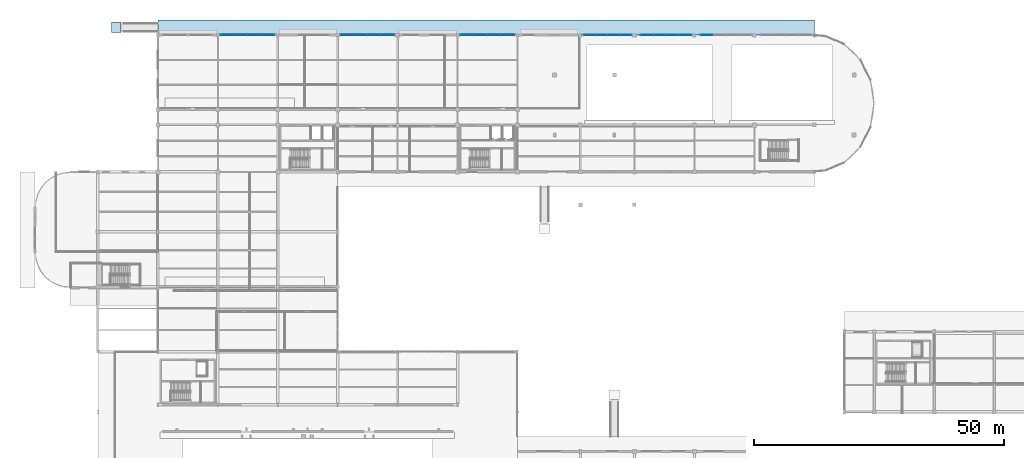
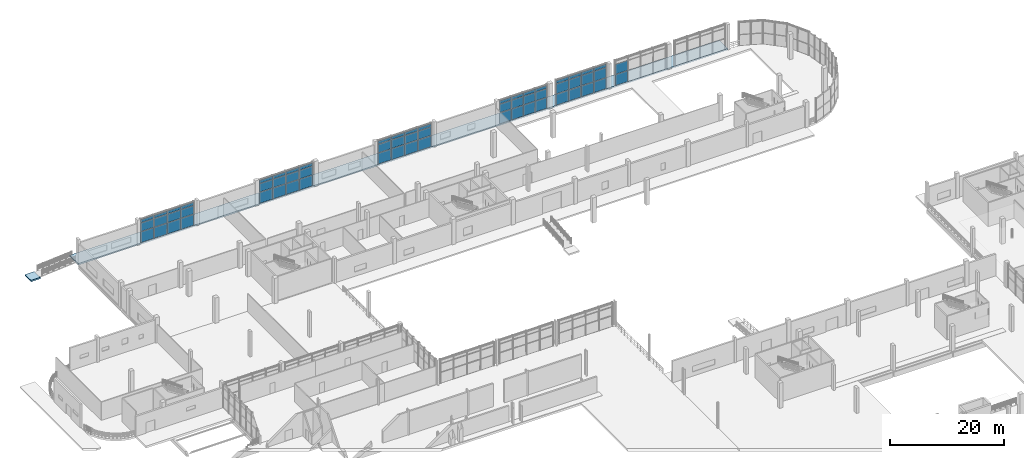
# One storey, part 55 of 85: 62 plates, 2 slabs, 6 elements without a shape of their own.
"""IFC4 building model written with IfcOpenShell, lengths in metres."""

from ifc_helpers import new_model, si_unit, direction, frame, origin, origin_2d, place, context, subcontext, project, spatial, polyline, rectangle, outline, extrude, material, layer, layer_set, type_object, element, aggregate, save


model = new_model("IFC4")

# Units and contexts
model_context = context("Model", 3, precision=1e-05, world=origin(), true_north=direction((0.0, 1.0)))
body_context = subcontext(model_context, "Body", "Model", "MODEL_VIEW")
ifc_project = project(units=[si_unit("LENGTHUNIT", "METRE"), si_unit("AREAUNIT", "SQUARE_METRE"), si_unit("VOLUMEUNIT", "CUBIC_METRE"), si_unit("PLANEANGLEUNIT", "RADIAN"), si_unit("MASSUNIT", "GRAM", prefix="KILO"), si_unit("THERMODYNAMICTEMPERATUREUNIT", "KELVIN"), si_unit("POWERUNIT", "WATT")], contexts=[model_context])

# Site, building, storey
site_placement = place(None, origin())
site = spatial("IfcSite", under=ifc_project, at=site_placement, CompositionType="ELEMENT")
building_placement = place(site_placement, origin())
building = spatial("IfcBuilding", under=site, at=building_placement, Name="Solmara Park Aquatics Centre", CompositionType="ELEMENT")
storey_placement = place(building_placement, origin())
storey = spatial("IfcBuildingStorey", under=building, at=storey_placement, Name="L00", CompositionType="ELEMENT", Elevation=0.0)

# Curtain wall, plates
ifc_material_1 = material(Name="Anodised Aluminium Curtain Wall Framing", Category="aluminium")
curtain_wall_type_1 = type_object("IfcCurtainWallType", Name="ARC-CW-SYS01", PredefinedType="USERDEFINED", material=ifc_material_1)
curtain_wall_1_placement = place(storey_placement, origin())
curtain_wall_1 = element("IfcCurtainWall", 1, at=curtain_wall_1_placement, inside=storey, type_object=curtain_wall_type_1, Name="Curtain Wall CW-113", ObjectType="CURTAIN WALL", PredefinedType="USERDEFINED")
ifc_material_2 = material(Name="Double Low-E Solar-Control Glazing", Category="glass")
ifc_layer_1 = layer(ifc_material_2, 0.035888671875, Name="Double Low-E Solar-Control Glazing")
ifc_layer_set_1 = layer_set([ifc_layer_1], Name="Double Low-E Solar-Control Glazing")
plate_type_1 = type_object("IfcPlateType", Name="ARC-CWP-GLZ36-2320x1800", PredefinedType="CURTAIN_PANEL", material=ifc_layer_set_1)
plate_1_placement = place(storey_placement, frame((110.97998046875, 136.0, 2.48974609375), z_axis=(0.0, 0.0, 1.0), x_axis=(1.0, 0.0, 0.0)))
plate_1 = element("IfcPlate", 2, at=plate_1_placement, type_object=plate_type_1, Name="CW-113 panel 2", PredefinedType="CURTAIN_PANEL", context=body_context, shape_type="SweptSolid", body=[
    extrude(rectangle(XDim=2.320068359375, YDim=0.035888671875, at=origin_2d()), origin(), (0.0, 0.0, 1.0), 1.800048828125),
])
plate_2_placement = place(storey_placement, frame((113.3798828125, 136.0, 2.48974609375), z_axis=(0.0, 0.0, 1.0), x_axis=(1.0, 0.0, 0.0)))
plate_2 = element("IfcPlate", 3, at=plate_2_placement, type_object=plate_type_1, Name="CW-113 panel 5", PredefinedType="CURTAIN_PANEL", context=body_context, shape_type="SweptSolid", body=[
    extrude(rectangle(XDim=2.320068359375, YDim=0.035888671875, at=origin_2d()), origin(), (0.0, 0.0, 1.0), 1.800048828125),
])
plate_3_placement = place(storey_placement, frame((115.780029296875, 136.0, 2.48974609375), z_axis=(0.0, 0.0, 1.0), x_axis=(1.0, 0.0, 0.0)))
plate_3 = element("IfcPlate", 4, at=plate_3_placement, type_object=plate_type_1, Name="CW-113 panel 8", PredefinedType="CURTAIN_PANEL", context=body_context, shape_type="SweptSolid", body=[
    extrude(rectangle(XDim=2.320068359375, YDim=0.035888671875, at=origin_2d()), origin(), (0.0, 0.0, 1.0), 1.800048828125),
])
plate_4_placement = place(storey_placement, frame((118.179931640625, 136.0, 2.48974609375), z_axis=(0.0, 0.0, 1.0), x_axis=(1.0, 0.0, 0.0)))
plate_4 = element("IfcPlate", 5, at=plate_4_placement, type_object=plate_type_1, Name="CW-113 panel 11", PredefinedType="CURTAIN_PANEL", context=body_context, shape_type="SweptSolid", body=[
    extrude(rectangle(XDim=2.320068359375, YDim=0.035888671875, at=origin_2d()), origin(), (0.0, 0.0, 1.0), 1.800048828125),
])
ifc_layer_2 = layer(ifc_material_2, 0.035888671875, Name="Double Low-E Solar-Control Glazing")
ifc_layer_set_2 = layer_set([ifc_layer_2], Name="Double Low-E Solar-Control Glazing")
plate_type_2 = type_object("IfcPlateType", Name="ARC-CWP-GLZ36-2320x2320", PredefinedType="CURTAIN_PANEL", material=ifc_layer_set_2)
plate_5_placement = place(storey_placement, frame((110.97998046875, 136.0, 0.080078125), z_axis=(0.0, 0.0, 1.0), x_axis=(1.0, 0.0, 0.0)))
plate_5 = element("IfcPlate", 6, at=plate_5_placement, type_object=plate_type_2, Name="CW-113 panel 1", PredefinedType="CURTAIN_PANEL", context=body_context, shape_type="SweptSolid", body=[
    extrude(rectangle(XDim=2.320068359375, YDim=0.035888671875, at=origin_2d()), origin(), (0.0, 0.0, 1.0), 2.330078125),
])
plate_6_placement = place(storey_placement, frame((113.3798828125, 136.0, 0.080078125), z_axis=(0.0, 0.0, 1.0), x_axis=(1.0, 0.0, 0.0)))
plate_6 = element("IfcPlate", 7, at=plate_6_placement, type_object=plate_type_2, Name="CW-113 panel 4", PredefinedType="CURTAIN_PANEL", context=body_context, shape_type="SweptSolid", body=[
    extrude(rectangle(XDim=2.320068359375, YDim=0.035888671875, at=origin_2d()), origin(), (0.0, 0.0, 1.0), 2.330078125),
])
plate_7_placement = place(storey_placement, frame((115.780029296875, 136.0, 0.080078125), z_axis=(0.0, 0.0, 1.0), x_axis=(1.0, 0.0, 0.0)))
plate_7 = element("IfcPlate", 8, at=plate_7_placement, type_object=plate_type_2, Name="CW-113 panel 7", PredefinedType="CURTAIN_PANEL", context=body_context, shape_type="SweptSolid", body=[
    extrude(rectangle(XDim=2.320068359375, YDim=0.035888671875, at=origin_2d()), origin(), (0.0, 0.0, 1.0), 2.330078125),
])
plate_8_placement = place(storey_placement, frame((118.179931640625, 136.0, 0.080078125), z_axis=(0.0, 0.0, 1.0), x_axis=(1.0, 0.0, 0.0)))
plate_8 = element("IfcPlate", 9, at=plate_8_placement, type_object=plate_type_2, Name="CW-113 panel 10", PredefinedType="CURTAIN_PANEL", context=body_context, shape_type="SweptSolid", body=[
    extrude(rectangle(XDim=2.320068359375, YDim=0.035888671875, at=origin_2d()), origin(), (0.0, 0.0, 1.0), 2.330078125),
])

curtain_wall_2_placement = place(storey_placement, origin())
curtain_wall_2 = element("IfcCurtainWall", 10, at=curtain_wall_2_placement, inside=storey, type_object=curtain_wall_type_1, Name="Curtain Wall CW-114", ObjectType="CURTAIN WALL", PredefinedType="USERDEFINED")
ifc_layer_3 = layer(ifc_material_2, 0.035888671875, Name="Double Low-E Solar-Control Glazing")
ifc_layer_set_3 = layer_set([ifc_layer_3], Name="Double Low-E Solar-Control Glazing")
plate_type_3 = type_object("IfcPlateType", Name="ARC-CWP-GLZ36-2460x2120", PredefinedType="CURTAIN_PANEL", material=ifc_layer_set_3)
plate_9_placement = place(storey_placement, frame((122.489990234375, 136.0, 2.489990234375), z_axis=(0.0, 0.0, 1.0), x_axis=(1.0, 0.0, 0.0)))
plate_9 = element("IfcPlate", 11, at=plate_9_placement, type_object=plate_type_3, Name="CW-114 panel 2", PredefinedType="CURTAIN_PANEL", context=body_context, shape_type="SweptSolid", body=[
    extrude(rectangle(XDim=2.4599609375, YDim=0.035888671875, at=origin_2d()), origin(), (0.0, 0.0, 1.0), 2.1201171875),
])
plate_10_placement = place(storey_placement, frame((125.030029296875, 136.0, 2.489990234375), z_axis=(0.0, 0.0, 1.0), x_axis=(1.0, 0.0, 0.0)))
plate_10 = element("IfcPlate", 12, at=plate_10_placement, type_object=plate_type_3, Name="CW-114 panel 5", PredefinedType="CURTAIN_PANEL", context=body_context, shape_type="SweptSolid", body=[
    extrude(rectangle(XDim=2.4599609375, YDim=0.035888671875, at=origin_2d()), origin(), (0.0, 0.0, 1.0), 2.1201171875),
])
plate_11_placement = place(storey_placement, frame((127.570068359375, 136.0, 2.489990234375), z_axis=(0.0, 0.0, 1.0), x_axis=(1.0, 0.0, 0.0)))
plate_11 = element("IfcPlate", 13, at=plate_11_placement, type_object=plate_type_3, Name="CW-114 panel 8", PredefinedType="CURTAIN_PANEL", context=body_context, shape_type="SweptSolid", body=[
    extrude(rectangle(XDim=2.4599609375, YDim=0.035888671875, at=origin_2d()), origin(), (0.0, 0.0, 1.0), 2.1201171875),
])
plate_12_placement = place(storey_placement, frame((130.110107421875, 136.0, 2.489990234375), z_axis=(0.0, 0.0, 1.0), x_axis=(1.0, 0.0, 0.0)))
plate_12 = element("IfcPlate", 14, at=plate_12_placement, type_object=plate_type_3, Name="CW-114 panel 11", PredefinedType="CURTAIN_PANEL", context=body_context, shape_type="SweptSolid", body=[
    extrude(rectangle(XDim=2.4599609375, YDim=0.035888671875, at=origin_2d()), origin(), (0.0, 0.0, 1.0), 2.1201171875),
])

# Curtain wall, plate
curtain_wall_3_placement = place(storey_placement, origin())
curtain_wall_3 = element("IfcCurtainWall", 15, at=curtain_wall_3_placement, inside=storey, type_object=curtain_wall_type_1, Name="Curtain Wall CW-115", ObjectType="CURTAIN WALL", PredefinedType="USERDEFINED")
plate_13_placement = place(storey_placement, frame((134.489990234375, 136.0, 2.489990234375), z_axis=(0.0, 0.0, 1.0), x_axis=(1.0, 0.0, 0.0)))
plate_13 = element("IfcPlate", 16, at=plate_13_placement, type_object=plate_type_3, Name="CW-115 panel 2", PredefinedType="CURTAIN_PANEL", context=body_context, shape_type="SweptSolid", body=[
    extrude(rectangle(XDim=2.4599609375, YDim=0.035888671875, at=origin_2d()), origin(), (0.0, 0.0, 1.0), 2.1201171875),
])

# Plate
ifc_layer_4 = layer(ifc_material_2, 0.035888671875, Name="Double Low-E Solar-Control Glazing")
ifc_layer_set_4 = layer_set([ifc_layer_4], Name="Double Low-E Solar-Control Glazing")
plate_type_4 = type_object("IfcPlateType", Name="ARC-CWP-GLZ36-2460x2320", PredefinedType="CURTAIN_PANEL", material=ifc_layer_set_4)
plate_14_placement = place(storey_placement, frame((122.489990234375, 136.0, 0.080078125), z_axis=(0.0, 0.0, 1.0), x_axis=(1.0, 0.0, 0.0)))
plate_14 = element("IfcPlate", 17, at=plate_14_placement, type_object=plate_type_4, Name="CW-114 panel 1", PredefinedType="CURTAIN_PANEL", context=body_context, shape_type="SweptSolid", body=[
    extrude(rectangle(XDim=2.4599609375, YDim=0.035888671875, at=origin_2d()), origin(), (0.0, 0.0, 1.0), 2.330078125),
])

plate_15_placement = place(storey_placement, frame((125.030029296875, 136.0, 0.080078125), z_axis=(0.0, 0.0, 1.0), x_axis=(1.0, 0.0, 0.0)))
plate_15 = element("IfcPlate", 18, at=plate_15_placement, type_object=plate_type_4, Name="CW-114 panel 4", PredefinedType="CURTAIN_PANEL", context=body_context, shape_type="SweptSolid", body=[
    extrude(rectangle(XDim=2.4599609375, YDim=0.035888671875, at=origin_2d()), origin(), (0.0, 0.0, 1.0), 2.330078125),
])

plate_16_placement = place(storey_placement, frame((127.570068359375, 136.0, 0.080078125), z_axis=(0.0, 0.0, 1.0), x_axis=(1.0, 0.0, 0.0)))
plate_16 = element("IfcPlate", 19, at=plate_16_placement, type_object=plate_type_4, Name="CW-114 panel 7", PredefinedType="CURTAIN_PANEL", context=body_context, shape_type="SweptSolid", body=[
    extrude(rectangle(XDim=2.4599609375, YDim=0.035888671875, at=origin_2d()), origin(), (0.0, 0.0, 1.0), 2.330078125),
])

plate_17_placement = place(storey_placement, frame((130.110107421875, 136.0, 0.080078125), z_axis=(0.0, 0.0, 1.0), x_axis=(1.0, 0.0, 0.0)))
plate_17 = element("IfcPlate", 20, at=plate_17_placement, type_object=plate_type_4, Name="CW-114 panel 10", PredefinedType="CURTAIN_PANEL", context=body_context, shape_type="SweptSolid", body=[
    extrude(rectangle(XDim=2.4599609375, YDim=0.035888671875, at=origin_2d()), origin(), (0.0, 0.0, 1.0), 2.330078125),
])

plate_18_placement = place(storey_placement, frame((134.489990234375, 136.0, 0.080078125), z_axis=(0.0, 0.0, 1.0), x_axis=(1.0, 0.0, 0.0)))
plate_18 = element("IfcPlate", 21, at=plate_18_placement, type_object=plate_type_4, Name="CW-115 panel 1", PredefinedType="CURTAIN_PANEL", context=body_context, shape_type="SweptSolid", body=[
    extrude(rectangle(XDim=2.4599609375, YDim=0.035888671875, at=origin_2d()), origin(), (0.0, 0.0, 1.0), 2.330078125),
])

aggregate(curtain_wall_3, [plate_18, plate_13])

# Curtain wall, plates
curtain_wall_type_2 = type_object("IfcCurtainWallType", Name="ARC-CW-SYS04", PredefinedType="USERDEFINED", material=ifc_material_1)
curtain_wall_4_placement = place(storey_placement, origin())
curtain_wall_4 = element("IfcCurtainWall", 22, at=curtain_wall_4_placement, inside=storey, type_object=curtain_wall_type_2, Name="Curtain Wall CW-110", ObjectType="CURTAIN WALL", PredefinedType="USERDEFINED")
ifc_layer_5 = layer(ifc_material_2, 0.035888671875, Name="Double Low-E Solar-Control Glazing")
ifc_layer_set_5 = layer_set([ifc_layer_5], Name="Double Low-E Solar-Control Glazing")
plate_type_5 = type_object("IfcPlateType", Name="ARC-CWP-GLZ36-2620x1800", PredefinedType="CURTAIN_PANEL", material=ifc_layer_set_5)
plate_19_placement = place(storey_placement, frame((38.530029296875, 136.0, 2.48974609375), z_axis=(0.0, 0.0, 1.0), x_axis=(1.0, 0.0, 0.0)))
plate_19 = element("IfcPlate", 23, at=plate_19_placement, type_object=plate_type_5, Name="CW-110 panel 2", PredefinedType="CURTAIN_PANEL", context=body_context, shape_type="SweptSolid", body=[
    extrude(rectangle(XDim=2.6201171875, YDim=0.035888671875, at=origin_2d()), origin(), (0.0, 0.0, 1.0), 1.800048828125),
])
plate_20_placement = place(storey_placement, frame((41.22998046875, 136.0, 2.48974609375), z_axis=(0.0, 0.0, 1.0), x_axis=(1.0, 0.0, 0.0)))
plate_20 = element("IfcPlate", 24, at=plate_20_placement, type_object=plate_type_5, Name="CW-110 panel 5", PredefinedType="CURTAIN_PANEL", context=body_context, shape_type="SweptSolid", body=[
    extrude(rectangle(XDim=2.6201171875, YDim=0.035888671875, at=origin_2d()), origin(), (0.0, 0.0, 1.0), 1.800048828125),
])
plate_21_placement = place(storey_placement, frame((43.929931640625, 136.0, 2.48974609375), z_axis=(0.0, 0.0, 1.0), x_axis=(1.0, 0.0, 0.0)))
plate_21 = element("IfcPlate", 25, at=plate_21_placement, type_object=plate_type_5, Name="CW-110 panel 8", PredefinedType="CURTAIN_PANEL", context=body_context, shape_type="SweptSolid", body=[
    extrude(rectangle(XDim=2.6201171875, YDim=0.035888671875, at=origin_2d()), origin(), (0.0, 0.0, 1.0), 1.800048828125),
])
plate_22_placement = place(storey_placement, frame((46.6298828125, 136.0, 2.48974609375), z_axis=(0.0, 0.0, 1.0), x_axis=(1.0, 0.0, 0.0)))
plate_22 = element("IfcPlate", 26, at=plate_22_placement, type_object=plate_type_5, Name="CW-110 panel 11", PredefinedType="CURTAIN_PANEL", context=body_context, shape_type="SweptSolid", body=[
    extrude(rectangle(XDim=2.6201171875, YDim=0.035888671875, at=origin_2d()), origin(), (0.0, 0.0, 1.0), 1.800048828125),
])

curtain_wall_5_placement = place(storey_placement, origin())
curtain_wall_5 = element("IfcCurtainWall", 27, at=curtain_wall_5_placement, inside=storey, type_object=curtain_wall_type_2, Name="Curtain Wall CW-111", ObjectType="CURTAIN WALL", PredefinedType="USERDEFINED")
plate_23_placement = place(storey_placement, frame((62.530029296875, 136.0, 2.48974609375), z_axis=(0.0, 0.0, 1.0), x_axis=(1.0, 0.0, 0.0)))
plate_23 = element("IfcPlate", 28, at=plate_23_placement, type_object=plate_type_5, Name="CW-111 panel 2", PredefinedType="CURTAIN_PANEL", context=body_context, shape_type="SweptSolid", body=[
    extrude(rectangle(XDim=2.6201171875, YDim=0.035888671875, at=origin_2d()), origin(), (0.0, 0.0, 1.0), 1.800048828125),
])
plate_24_placement = place(storey_placement, frame((65.22998046875, 136.0, 2.48974609375), z_axis=(0.0, 0.0, 1.0), x_axis=(1.0, 0.0, 0.0)))
plate_24 = element("IfcPlate", 29, at=plate_24_placement, type_object=plate_type_5, Name="CW-111 panel 5", PredefinedType="CURTAIN_PANEL", context=body_context, shape_type="SweptSolid", body=[
    extrude(rectangle(XDim=2.6201171875, YDim=0.035888671875, at=origin_2d()), origin(), (0.0, 0.0, 1.0), 1.800048828125),
])
plate_25_placement = place(storey_placement, frame((67.929931640625, 136.0, 2.48974609375), z_axis=(0.0, 0.0, 1.0), x_axis=(1.0, 0.0, 0.0)))
plate_25 = element("IfcPlate", 30, at=plate_25_placement, type_object=plate_type_5, Name="CW-111 panel 8", PredefinedType="CURTAIN_PANEL", context=body_context, shape_type="SweptSolid", body=[
    extrude(rectangle(XDim=2.6201171875, YDim=0.035888671875, at=origin_2d()), origin(), (0.0, 0.0, 1.0), 1.800048828125),
])
plate_26_placement = place(storey_placement, frame((70.6298828125, 136.0, 2.48974609375), z_axis=(0.0, 0.0, 1.0), x_axis=(1.0, 0.0, 0.0)))
plate_26 = element("IfcPlate", 31, at=plate_26_placement, type_object=plate_type_5, Name="CW-111 panel 11", PredefinedType="CURTAIN_PANEL", context=body_context, shape_type="SweptSolid", body=[
    extrude(rectangle(XDim=2.6201171875, YDim=0.035888671875, at=origin_2d()), origin(), (0.0, 0.0, 1.0), 1.800048828125),
])

curtain_wall_6_placement = place(storey_placement, origin())
curtain_wall_6 = element("IfcCurtainWall", 32, at=curtain_wall_6_placement, inside=storey, type_object=curtain_wall_type_2, Name="Curtain Wall CW-112", ObjectType="CURTAIN WALL", PredefinedType="USERDEFINED")
plate_27_placement = place(storey_placement, frame((86.530029296875, 136.0, 2.48974609375), z_axis=(0.0, 0.0, 1.0), x_axis=(1.0, 0.0, 0.0)))
plate_27 = element("IfcPlate", 33, at=plate_27_placement, type_object=plate_type_5, Name="CW-112 panel 2", PredefinedType="CURTAIN_PANEL", context=body_context, shape_type="SweptSolid", body=[
    extrude(rectangle(XDim=2.6201171875, YDim=0.035888671875, at=origin_2d()), origin(), (0.0, 0.0, 1.0), 1.800048828125),
])
plate_28_placement = place(storey_placement, frame((89.22998046875, 136.0, 2.48974609375), z_axis=(0.0, 0.0, 1.0), x_axis=(1.0, 0.0, 0.0)))
plate_28 = element("IfcPlate", 34, at=plate_28_placement, type_object=plate_type_5, Name="CW-112 panel 5", PredefinedType="CURTAIN_PANEL", context=body_context, shape_type="SweptSolid", body=[
    extrude(rectangle(XDim=2.6201171875, YDim=0.035888671875, at=origin_2d()), origin(), (0.0, 0.0, 1.0), 1.800048828125),
])
plate_29_placement = place(storey_placement, frame((91.929931640625, 136.0, 2.48974609375), z_axis=(0.0, 0.0, 1.0), x_axis=(1.0, 0.0, 0.0)))
plate_29 = element("IfcPlate", 35, at=plate_29_placement, type_object=plate_type_5, Name="CW-112 panel 8", PredefinedType="CURTAIN_PANEL", context=body_context, shape_type="SweptSolid", body=[
    extrude(rectangle(XDim=2.6201171875, YDim=0.035888671875, at=origin_2d()), origin(), (0.0, 0.0, 1.0), 1.800048828125),
])
plate_30_placement = place(storey_placement, frame((94.6298828125, 136.0, 2.48974609375), z_axis=(0.0, 0.0, 1.0), x_axis=(1.0, 0.0, 0.0)))
plate_30 = element("IfcPlate", 36, at=plate_30_placement, type_object=plate_type_5, Name="CW-112 panel 11", PredefinedType="CURTAIN_PANEL", context=body_context, shape_type="SweptSolid", body=[
    extrude(rectangle(XDim=2.6201171875, YDim=0.035888671875, at=origin_2d()), origin(), (0.0, 0.0, 1.0), 1.800048828125),
])

# Plate
ifc_layer_6 = layer(ifc_material_2, 0.035888671875, Name="Double Low-E Solar-Control Glazing")
ifc_layer_set_6 = layer_set([ifc_layer_6], Name="Double Low-E Solar-Control Glazing")
plate_type_6 = type_object("IfcPlateType", Name="ARC-CWP-GLZ36-2620x2320", PredefinedType="CURTAIN_PANEL", material=ifc_layer_set_6)
plate_31_placement = place(storey_placement, frame((38.530029296875, 136.0, 0.080078125), z_axis=(0.0, 0.0, 1.0), x_axis=(1.0, 0.0, 0.0)))
plate_31 = element("IfcPlate", 37, at=plate_31_placement, type_object=plate_type_6, Name="CW-110 panel 1", PredefinedType="CURTAIN_PANEL", context=body_context, shape_type="SweptSolid", body=[
    extrude(rectangle(XDim=2.6201171875, YDim=0.035888671875, at=origin_2d()), origin(), (0.0, 0.0, 1.0), 2.330078125),
])

plate_32_placement = place(storey_placement, frame((41.22998046875, 136.0, 0.080078125), z_axis=(0.0, 0.0, 1.0), x_axis=(1.0, 0.0, 0.0)))
plate_32 = element("IfcPlate", 38, at=plate_32_placement, type_object=plate_type_6, Name="CW-110 panel 4", PredefinedType="CURTAIN_PANEL", context=body_context, shape_type="SweptSolid", body=[
    extrude(rectangle(XDim=2.6201171875, YDim=0.035888671875, at=origin_2d()), origin(), (0.0, 0.0, 1.0), 2.330078125),
])

plate_33_placement = place(storey_placement, frame((43.929931640625, 136.0, 0.080078125), z_axis=(0.0, 0.0, 1.0), x_axis=(1.0, 0.0, 0.0)))
plate_33 = element("IfcPlate", 39, at=plate_33_placement, type_object=plate_type_6, Name="CW-110 panel 7", PredefinedType="CURTAIN_PANEL", context=body_context, shape_type="SweptSolid", body=[
    extrude(rectangle(XDim=2.6201171875, YDim=0.035888671875, at=origin_2d()), origin(), (0.0, 0.0, 1.0), 2.330078125),
])

plate_34_placement = place(storey_placement, frame((46.6298828125, 136.0, 0.080078125), z_axis=(0.0, 0.0, 1.0), x_axis=(1.0, 0.0, 0.0)))
plate_34 = element("IfcPlate", 40, at=plate_34_placement, type_object=plate_type_6, Name="CW-110 panel 10", PredefinedType="CURTAIN_PANEL", context=body_context, shape_type="SweptSolid", body=[
    extrude(rectangle(XDim=2.6201171875, YDim=0.035888671875, at=origin_2d()), origin(), (0.0, 0.0, 1.0), 2.330078125),
])

plate_35_placement = place(storey_placement, frame((62.530029296875, 136.0, 0.080078125), z_axis=(0.0, 0.0, 1.0), x_axis=(1.0, 0.0, 0.0)))
plate_35 = element("IfcPlate", 41, at=plate_35_placement, type_object=plate_type_6, Name="CW-111 panel 1", PredefinedType="CURTAIN_PANEL", context=body_context, shape_type="SweptSolid", body=[
    extrude(rectangle(XDim=2.6201171875, YDim=0.035888671875, at=origin_2d()), origin(), (0.0, 0.0, 1.0), 2.330078125),
])

plate_36_placement = place(storey_placement, frame((65.22998046875, 136.0, 0.080078125), z_axis=(0.0, 0.0, 1.0), x_axis=(1.0, 0.0, 0.0)))
plate_36 = element("IfcPlate", 42, at=plate_36_placement, type_object=plate_type_6, Name="CW-111 panel 4", PredefinedType="CURTAIN_PANEL", context=body_context, shape_type="SweptSolid", body=[
    extrude(rectangle(XDim=2.6201171875, YDim=0.035888671875, at=origin_2d()), origin(), (0.0, 0.0, 1.0), 2.330078125),
])

plate_37_placement = place(storey_placement, frame((67.929931640625, 136.0, 0.080078125), z_axis=(0.0, 0.0, 1.0), x_axis=(1.0, 0.0, 0.0)))
plate_37 = element("IfcPlate", 43, at=plate_37_placement, type_object=plate_type_6, Name="CW-111 panel 7", PredefinedType="CURTAIN_PANEL", context=body_context, shape_type="SweptSolid", body=[
    extrude(rectangle(XDim=2.6201171875, YDim=0.035888671875, at=origin_2d()), origin(), (0.0, 0.0, 1.0), 2.330078125),
])

plate_38_placement = place(storey_placement, frame((70.6298828125, 136.0, 0.080078125), z_axis=(0.0, 0.0, 1.0), x_axis=(1.0, 0.0, 0.0)))
plate_38 = element("IfcPlate", 44, at=plate_38_placement, type_object=plate_type_6, Name="CW-111 panel 10", PredefinedType="CURTAIN_PANEL", context=body_context, shape_type="SweptSolid", body=[
    extrude(rectangle(XDim=2.6201171875, YDim=0.035888671875, at=origin_2d()), origin(), (0.0, 0.0, 1.0), 2.330078125),
])

plate_39_placement = place(storey_placement, frame((86.530029296875, 136.0, 0.080078125), z_axis=(0.0, 0.0, 1.0), x_axis=(1.0, 0.0, 0.0)))
plate_39 = element("IfcPlate", 45, at=plate_39_placement, type_object=plate_type_6, Name="CW-112 panel 1", PredefinedType="CURTAIN_PANEL", context=body_context, shape_type="SweptSolid", body=[
    extrude(rectangle(XDim=2.6201171875, YDim=0.035888671875, at=origin_2d()), origin(), (0.0, 0.0, 1.0), 2.330078125),
])

plate_40_placement = place(storey_placement, frame((89.22998046875, 136.0, 0.080078125), z_axis=(0.0, 0.0, 1.0), x_axis=(1.0, 0.0, 0.0)))
plate_40 = element("IfcPlate", 46, at=plate_40_placement, type_object=plate_type_6, Name="CW-112 panel 4", PredefinedType="CURTAIN_PANEL", context=body_context, shape_type="SweptSolid", body=[
    extrude(rectangle(XDim=2.6201171875, YDim=0.035888671875, at=origin_2d()), origin(), (0.0, 0.0, 1.0), 2.330078125),
])

plate_41_placement = place(storey_placement, frame((91.929931640625, 136.0, 0.080078125), z_axis=(0.0, 0.0, 1.0), x_axis=(1.0, 0.0, 0.0)))
plate_41 = element("IfcPlate", 47, at=plate_41_placement, type_object=plate_type_6, Name="CW-112 panel 7", PredefinedType="CURTAIN_PANEL", context=body_context, shape_type="SweptSolid", body=[
    extrude(rectangle(XDim=2.6201171875, YDim=0.035888671875, at=origin_2d()), origin(), (0.0, 0.0, 1.0), 2.330078125),
])

plate_42_placement = place(storey_placement, frame((94.6298828125, 136.0, 0.080078125), z_axis=(0.0, 0.0, 1.0), x_axis=(1.0, 0.0, 0.0)))
plate_42 = element("IfcPlate", 48, at=plate_42_placement, type_object=plate_type_6, Name="CW-112 panel 10", PredefinedType="CURTAIN_PANEL", context=body_context, shape_type="SweptSolid", body=[
    extrude(rectangle(XDim=2.6201171875, YDim=0.035888671875, at=origin_2d()), origin(), (0.0, 0.0, 1.0), 2.330078125),
])

ifc_material_3 = material(Name="Golden-Ochre Enamelled Aluminium Fascia Panel", Category="aluminium")
ifc_layer_7 = layer(ifc_material_3, 0.0400390625, Name="Golden-Ochre Enamelled Aluminium Fascia Panel")
ifc_layer_set_7 = layer_set([ifc_layer_7], Name="Golden-Ochre Enamelled Aluminium Fascia Panel")
plate_type_7 = type_object("IfcPlateType", Name="ARC-CWP-OCH40-2620x620", PredefinedType="CURTAIN_PANEL", material=ifc_layer_set_7)
plate_43_placement = place(storey_placement, frame((86.530029296875, 136.0, 4.3701171875), z_axis=(0.0, 0.0, 1.0), x_axis=(1.0, 0.0, 0.0)))
plate_43 = element("IfcPlate", 49, at=plate_43_placement, type_object=plate_type_7, Name="CW-112 panel 3", PredefinedType="CURTAIN_PANEL", context=body_context, shape_type="SweptSolid", body=[
    extrude(rectangle(XDim=2.6201171875, YDim=0.0400390625, at=origin_2d()), origin(), (0.0, 0.0, 1.0), 0.6298828125),
])

plate_44_placement = place(storey_placement, frame((89.22998046875, 136.0, 4.3701171875), z_axis=(0.0, 0.0, 1.0), x_axis=(1.0, 0.0, 0.0)))
plate_44 = element("IfcPlate", 50, at=plate_44_placement, type_object=plate_type_7, Name="CW-112 panel 6", PredefinedType="CURTAIN_PANEL", context=body_context, shape_type="SweptSolid", body=[
    extrude(rectangle(XDim=2.6201171875, YDim=0.0400390625, at=origin_2d()), origin(), (0.0, 0.0, 1.0), 0.6298828125),
])

plate_45_placement = place(storey_placement, frame((91.929931640625, 136.0, 4.3701171875), z_axis=(0.0, 0.0, 1.0), x_axis=(1.0, 0.0, 0.0)))
plate_45 = element("IfcPlate", 51, at=plate_45_placement, type_object=plate_type_7, Name="CW-112 panel 9", PredefinedType="CURTAIN_PANEL", context=body_context, shape_type="SweptSolid", body=[
    extrude(rectangle(XDim=2.6201171875, YDim=0.0400390625, at=origin_2d()), origin(), (0.0, 0.0, 1.0), 0.6298828125),
])

plate_46_placement = place(storey_placement, frame((94.6298828125, 136.0, 4.3701171875), z_axis=(0.0, 0.0, 1.0), x_axis=(1.0, 0.0, 0.0)))
plate_46 = element("IfcPlate", 52, at=plate_46_placement, type_object=plate_type_7, Name="CW-112 panel 12", PredefinedType="CURTAIN_PANEL", context=body_context, shape_type="SweptSolid", body=[
    extrude(rectangle(XDim=2.6201171875, YDim=0.0400390625, at=origin_2d()), origin(), (0.0, 0.0, 1.0), 0.6298828125),
])

aggregate(curtain_wall_6, [plate_39, plate_27, plate_43, plate_40, plate_28, plate_44, plate_41, plate_29, plate_45, plate_42, plate_30, plate_46])

ifc_material_4 = material(Name="Insulated Anodised Aluminium Spandrel Panel", Category="aluminium")
ifc_layer_8 = layer(ifc_material_4, 0.0439453125, Name="Insulated Anodised Aluminium Spandrel Panel")
ifc_layer_set_8 = layer_set([ifc_layer_8], Name="Insulated Anodised Aluminium Spandrel Panel")
plate_type_8 = type_object("IfcPlateType", Name="ARC-CWP-SPN44-2320x620", PredefinedType="CURTAIN_PANEL", material=ifc_layer_set_8)
plate_47_placement = place(storey_placement, frame((110.97998046875, 136.0, 4.3701171875), z_axis=(0.0, 0.0, 1.0), x_axis=(1.0, 0.0, 0.0)))
plate_47 = element("IfcPlate", 53, at=plate_47_placement, type_object=plate_type_8, Name="CW-113 panel 3", PredefinedType="CURTAIN_PANEL", context=body_context, shape_type="SweptSolid", body=[
    extrude(rectangle(XDim=2.320068359375, YDim=0.0439453125, at=origin_2d()), origin(), (0.0, 0.0, 1.0), 0.6298828125),
])

plate_48_placement = place(storey_placement, frame((113.3798828125, 136.0, 4.3701171875), z_axis=(0.0, 0.0, 1.0), x_axis=(1.0, 0.0, 0.0)))
plate_48 = element("IfcPlate", 54, at=plate_48_placement, type_object=plate_type_8, Name="CW-113 panel 6", PredefinedType="CURTAIN_PANEL", context=body_context, shape_type="SweptSolid", body=[
    extrude(rectangle(XDim=2.320068359375, YDim=0.0439453125, at=origin_2d()), origin(), (0.0, 0.0, 1.0), 0.6298828125),
])

plate_49_placement = place(storey_placement, frame((115.780029296875, 136.0, 4.3701171875), z_axis=(0.0, 0.0, 1.0), x_axis=(1.0, 0.0, 0.0)))
plate_49 = element("IfcPlate", 55, at=plate_49_placement, type_object=plate_type_8, Name="CW-113 panel 9", PredefinedType="CURTAIN_PANEL", context=body_context, shape_type="SweptSolid", body=[
    extrude(rectangle(XDim=2.320068359375, YDim=0.0439453125, at=origin_2d()), origin(), (0.0, 0.0, 1.0), 0.6298828125),
])

plate_50_placement = place(storey_placement, frame((118.179931640625, 136.0, 4.3701171875), z_axis=(0.0, 0.0, 1.0), x_axis=(1.0, 0.0, 0.0)))
plate_50 = element("IfcPlate", 56, at=plate_50_placement, type_object=plate_type_8, Name="CW-113 panel 12", PredefinedType="CURTAIN_PANEL", context=body_context, shape_type="SweptSolid", body=[
    extrude(rectangle(XDim=2.320068359375, YDim=0.0439453125, at=origin_2d()), origin(), (0.0, 0.0, 1.0), 0.6298828125),
])

aggregate(curtain_wall_1, [plate_5, plate_1, plate_47, plate_6, plate_2, plate_48, plate_7, plate_3, plate_49, plate_8, plate_4, plate_50])

ifc_layer_9 = layer(ifc_material_4, 0.0439453125, Name="Insulated Anodised Aluminium Spandrel Panel")
ifc_layer_set_9 = layer_set([ifc_layer_9], Name="Insulated Anodised Aluminium Spandrel Panel")
plate_type_9 = type_object("IfcPlateType", Name="ARC-CWP-SPN44-2460x620", PredefinedType="CURTAIN_PANEL", material=ifc_layer_set_9)
plate_51_placement = place(storey_placement, frame((122.489990234375, 136.0, 4.68994140625), z_axis=(0.0, 0.0, 1.0), x_axis=(1.0, 0.0, 0.0)))
plate_51 = element("IfcPlate", 57, at=plate_51_placement, type_object=plate_type_9, Name="CW-114 panel 3", PredefinedType="CURTAIN_PANEL", context=body_context, shape_type="SweptSolid", body=[
    extrude(rectangle(XDim=2.4599609375, YDim=0.0439453125, at=origin_2d()), origin(), (0.0, 0.0, 1.0), 0.6298828125),
])

plate_52_placement = place(storey_placement, frame((125.030029296875, 136.0, 4.68994140625), z_axis=(0.0, 0.0, 1.0), x_axis=(1.0, 0.0, 0.0)))
plate_52 = element("IfcPlate", 58, at=plate_52_placement, type_object=plate_type_9, Name="CW-114 panel 6", PredefinedType="CURTAIN_PANEL", context=body_context, shape_type="SweptSolid", body=[
    extrude(rectangle(XDim=2.4599609375, YDim=0.0439453125, at=origin_2d()), origin(), (0.0, 0.0, 1.0), 0.6298828125),
])

plate_53_placement = place(storey_placement, frame((127.570068359375, 136.0, 4.68994140625), z_axis=(0.0, 0.0, 1.0), x_axis=(1.0, 0.0, 0.0)))
plate_53 = element("IfcPlate", 59, at=plate_53_placement, type_object=plate_type_9, Name="CW-114 panel 9", PredefinedType="CURTAIN_PANEL", context=body_context, shape_type="SweptSolid", body=[
    extrude(rectangle(XDim=2.4599609375, YDim=0.0439453125, at=origin_2d()), origin(), (0.0, 0.0, 1.0), 0.6298828125),
])

plate_54_placement = place(storey_placement, frame((130.110107421875, 136.0, 4.68994140625), z_axis=(0.0, 0.0, 1.0), x_axis=(1.0, 0.0, 0.0)))
plate_54 = element("IfcPlate", 60, at=plate_54_placement, type_object=plate_type_9, Name="CW-114 panel 12", PredefinedType="CURTAIN_PANEL", context=body_context, shape_type="SweptSolid", body=[
    extrude(rectangle(XDim=2.4599609375, YDim=0.0439453125, at=origin_2d()), origin(), (0.0, 0.0, 1.0), 0.6298828125),
])

aggregate(curtain_wall_2, [plate_14, plate_9, plate_51, plate_15, plate_10, plate_52, plate_16, plate_11, plate_53, plate_17, plate_12, plate_54])

ifc_layer_10 = layer(ifc_material_4, 0.0439453125, Name="Insulated Anodised Aluminium Spandrel Panel")
ifc_layer_set_10 = layer_set([ifc_layer_10], Name="Insulated Anodised Aluminium Spandrel Panel")
plate_type_10 = type_object("IfcPlateType", Name="ARC-CWP-SPN44-2620x620", PredefinedType="CURTAIN_PANEL", material=ifc_layer_set_10)
plate_55_placement = place(storey_placement, frame((38.530029296875, 136.0, 4.3701171875), z_axis=(0.0, 0.0, 1.0), x_axis=(1.0, 0.0, 0.0)))
plate_55 = element("IfcPlate", 61, at=plate_55_placement, type_object=plate_type_10, Name="CW-110 panel 3", PredefinedType="CURTAIN_PANEL", context=body_context, shape_type="SweptSolid", body=[
    extrude(rectangle(XDim=2.6201171875, YDim=0.0439453125, at=origin_2d()), origin(), (0.0, 0.0, 1.0), 0.6298828125),
])

plate_56_placement = place(storey_placement, frame((41.22998046875, 136.0, 4.3701171875), z_axis=(0.0, 0.0, 1.0), x_axis=(1.0, 0.0, 0.0)))
plate_56 = element("IfcPlate", 62, at=plate_56_placement, type_object=plate_type_10, Name="CW-110 panel 6", PredefinedType="CURTAIN_PANEL", context=body_context, shape_type="SweptSolid", body=[
    extrude(rectangle(XDim=2.6201171875, YDim=0.0439453125, at=origin_2d()), origin(), (0.0, 0.0, 1.0), 0.6298828125),
])

plate_57_placement = place(storey_placement, frame((43.929931640625, 136.0, 4.3701171875), z_axis=(0.0, 0.0, 1.0), x_axis=(1.0, 0.0, 0.0)))
plate_57 = element("IfcPlate", 63, at=plate_57_placement, type_object=plate_type_10, Name="CW-110 panel 9", PredefinedType="CURTAIN_PANEL", context=body_context, shape_type="SweptSolid", body=[
    extrude(rectangle(XDim=2.6201171875, YDim=0.0439453125, at=origin_2d()), origin(), (0.0, 0.0, 1.0), 0.6298828125),
])

plate_58_placement = place(storey_placement, frame((46.6298828125, 136.0, 4.3701171875), z_axis=(0.0, 0.0, 1.0), x_axis=(1.0, 0.0, 0.0)))
plate_58 = element("IfcPlate", 64, at=plate_58_placement, type_object=plate_type_10, Name="CW-110 panel 12", PredefinedType="CURTAIN_PANEL", context=body_context, shape_type="SweptSolid", body=[
    extrude(rectangle(XDim=2.6201171875, YDim=0.0439453125, at=origin_2d()), origin(), (0.0, 0.0, 1.0), 0.6298828125),
])

aggregate(curtain_wall_4, [plate_31, plate_19, plate_55, plate_32, plate_20, plate_56, plate_33, plate_21, plate_57, plate_34, plate_22, plate_58])

plate_59_placement = place(storey_placement, frame((62.530029296875, 136.0, 4.3701171875), z_axis=(0.0, 0.0, 1.0), x_axis=(1.0, 0.0, 0.0)))
plate_59 = element("IfcPlate", 65, at=plate_59_placement, type_object=plate_type_10, Name="CW-111 panel 3", PredefinedType="CURTAIN_PANEL", context=body_context, shape_type="SweptSolid", body=[
    extrude(rectangle(XDim=2.6201171875, YDim=0.0439453125, at=origin_2d()), origin(), (0.0, 0.0, 1.0), 0.6298828125),
])

plate_60_placement = place(storey_placement, frame((65.22998046875, 136.0, 4.3701171875), z_axis=(0.0, 0.0, 1.0), x_axis=(1.0, 0.0, 0.0)))
plate_60 = element("IfcPlate", 66, at=plate_60_placement, type_object=plate_type_10, Name="CW-111 panel 6", PredefinedType="CURTAIN_PANEL", context=body_context, shape_type="SweptSolid", body=[
    extrude(rectangle(XDim=2.6201171875, YDim=0.0439453125, at=origin_2d()), origin(), (0.0, 0.0, 1.0), 0.6298828125),
])

plate_61_placement = place(storey_placement, frame((67.929931640625, 136.0, 4.3701171875), z_axis=(0.0, 0.0, 1.0), x_axis=(1.0, 0.0, 0.0)))
plate_61 = element("IfcPlate", 67, at=plate_61_placement, type_object=plate_type_10, Name="CW-111 panel 9", PredefinedType="CURTAIN_PANEL", context=body_context, shape_type="SweptSolid", body=[
    extrude(rectangle(XDim=2.6201171875, YDim=0.0439453125, at=origin_2d()), origin(), (0.0, 0.0, 1.0), 0.6298828125),
])

plate_62_placement = place(storey_placement, frame((70.6298828125, 136.0, 4.3701171875), z_axis=(0.0, 0.0, 1.0), x_axis=(1.0, 0.0, 0.0)))
plate_62 = element("IfcPlate", 68, at=plate_62_placement, type_object=plate_type_10, Name="CW-111 panel 12", PredefinedType="CURTAIN_PANEL", context=body_context, shape_type="SweptSolid", body=[
    extrude(rectangle(XDim=2.6201171875, YDim=0.0439453125, at=origin_2d()), origin(), (0.0, 0.0, 1.0), 0.6298828125),
])

aggregate(curtain_wall_5, [plate_35, plate_23, plate_59, plate_36, plate_24, plate_60, plate_37, plate_25, plate_61, plate_38, plate_26, plate_62])

# Slabs
ifc_material_5 = material(Name="Concrete C40/50", Category="concrete")
ifc_layer_11 = layer(ifc_material_5, 0.300048828125, Name="Concrete C40/50")
ifc_layer_set_11 = layer_set([ifc_layer_11], Name="Concrete C40/50")
slab_type = type_object("IfcSlabType", Name="STR-SLB-CON300", PredefinedType="FLOOR", material=ifc_layer_set_11)
slab_1_placement = place(storey_placement, frame((0.0, 0.0, -0.300048828125)))
element("IfcSlab", 69, at=slab_1_placement, inside=storey, type_object=slab_type, Name="Exterior Entrance Apron SLB-L00-APR-N", PredefinedType="FLOOR", context=body_context, shape_type="SweptSolid", body=[
    extrude(outline(polyline([(24.60009765625, 136.0), (156.0, 136.0), (156.0, 139.0), (24.60009765625, 139.0), (24.60009765625, 136.0)])), origin(), (0.0, 0.0, 1.0), 0.300048828125),
])
slab_2_placement = place(storey_placement, frame((0.0, 0.0, -0.89990234375)))
element("IfcSlab", 70, at=slab_2_placement, inside=storey, type_object=slab_type, Name="Wellness Boulevard Accessible Ramp Threshold Landing", PredefinedType="FLOOR", context=body_context, shape_type="SweptSolid", body=[
    extrude(outline(polyline([(15.300048828125, 136.449951171875), (17.199951171875, 136.449951171875), (17.199951171875, 138.550048828125), (15.300048828125, 138.550048828125), (15.300048828125, 136.449951171875)])), origin(), (0.0, 0.0, 1.0), 0.2998046875),
])

save(model, "model.ifc")
